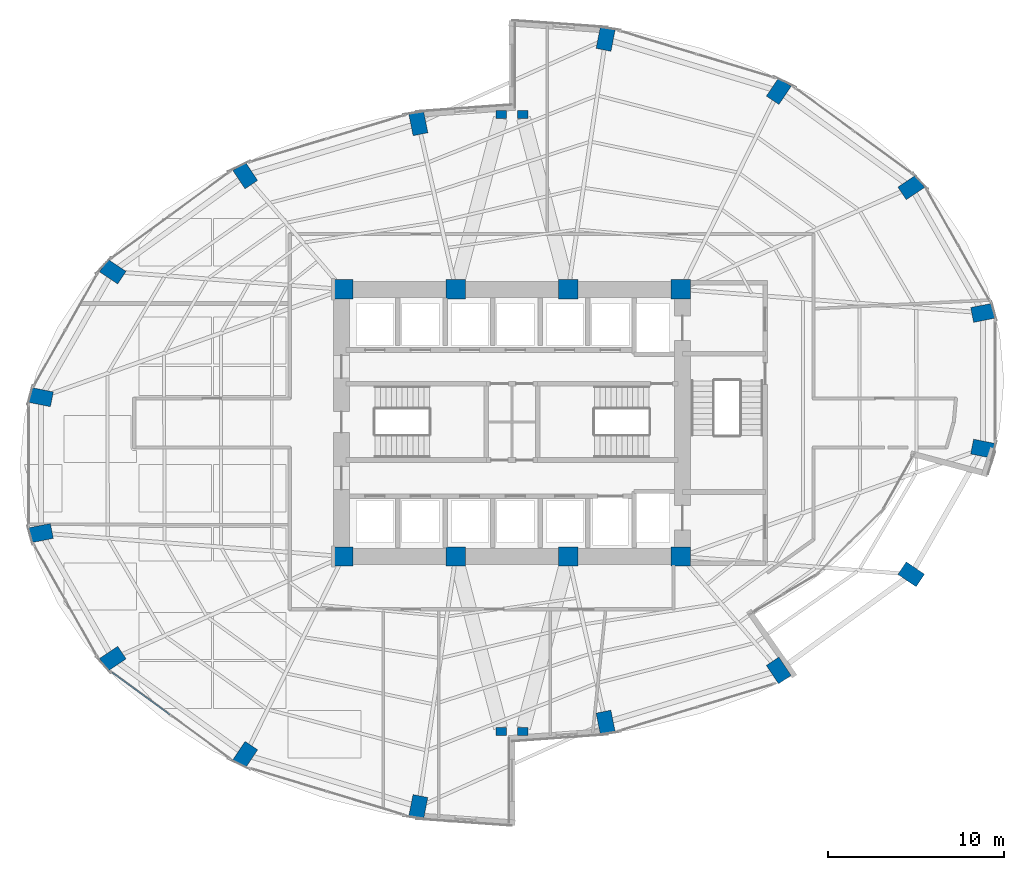
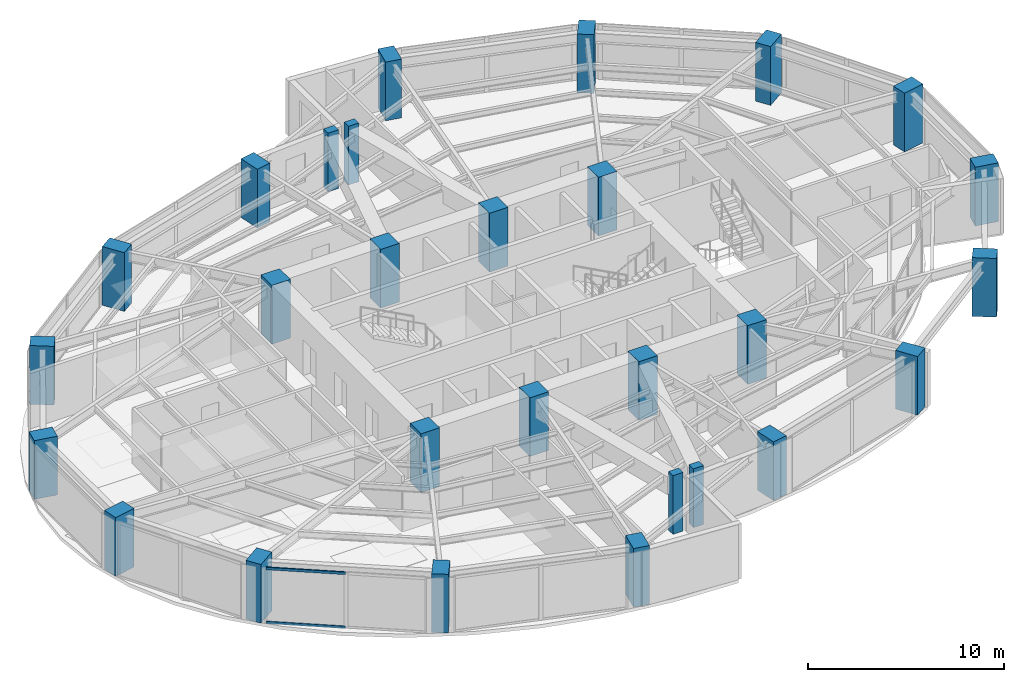
# One storey, part 1 of 24: 28 columns, 2 members, 1 element without a shape of its own.
"""IFC4 building model written with IfcOpenShell, lengths in metres."""

from ifc_helpers import new_model, si_unit, direction, frame, origin, origin_2d, place, context, subcontext, project, spatial, rectangle, hollow_rectangle, extrude, material, layer, layer_set, material_profile, profile_set, type_object, element, aggregate, save


model = new_model("IFC4")

# Units and contexts
model_context = context("Model", 3, precision=1e-05, world=origin(), true_north=direction((0.0, 1.0)))
body_context = subcontext(model_context, "Body", "Model", "MODEL_VIEW")
ifc_project = project(units=[si_unit("LENGTHUNIT", "METRE"), si_unit("AREAUNIT", "SQUARE_METRE"), si_unit("VOLUMEUNIT", "CUBIC_METRE"), si_unit("PLANEANGLEUNIT", "RADIAN"), si_unit("MASSUNIT", "GRAM", prefix="KILO")], contexts=[model_context])

# Site, building, storey
site_placement = place(None, origin())
site = spatial("IfcSite", under=ifc_project, at=site_placement, CompositionType="ELEMENT")
building_placement = place(site_placement, origin())
building = spatial("IfcBuilding", under=site, at=building_placement, Name="Lazwardi Medical Tower", CompositionType="ELEMENT")
storey_placement = place(building_placement, frame((0.0, 0.0, 65.327880859375)))
storey = spatial("IfcBuildingStorey", under=building, at=storey_placement, Name="L16", CompositionType="ELEMENT", Elevation=65.327880859375)

# Columns
ifc_material_1 = material(Name="Concrete C80/95", Category="concrete")
ifc_material_profile_1 = material_profile(ifc_material_1, rectangle(XDim=1.10009765625, YDim=1.10009765625, at=origin_2d()), Name="RC 1100x1100")
ifc_profile_set_1 = profile_set([ifc_material_profile_1], Name="Concrete C80/95")
column_type_1 = type_object("IfcColumnType", Name="COL-CC-L", PredefinedType="COLUMN", material=ifc_profile_set_1)
for number, where, z_axis, x_axis, name in (
    (1, (26.39990234375, 20.39990234375, 0.0), (0.0, 0.0, 1.0), (1.0, 0.0, 0.0), "Core column CC-01 CC1 L16"),
    (2, (32.800048828125, 20.39990234375, 0.0), (0.0, 0.0, 1.0), (1.0, 0.0, 0.0), "Core column CC-01 CC2 L16"),
    (3, (39.199951171875, 20.39990234375, 0.0), (0.0, 0.0, 1.0), (1.0, 0.0, 0.0), "Core column CC-01 CC3 L16"),
    (4, (45.60009765625, 20.39990234375, 0.0), (0.0, 0.0, 1.0), (1.0, 0.0, 0.0), "Core column CC-01 CC4 L16"),
    (5, (45.60009765625, 35.60009765625, 0.0), (0.0, 0.0, 1.0), (1.0, 0.0, 0.0), "Core column CC-01 CC5 L16"),
    (6, (39.199951171875, 35.60009765625, 0.0), (0.0, 0.0, 1.0), (1.0, 0.0, 0.0), "Core column CC-01 CC6 L16"),
    (7, (32.800048828125, 35.60009765625, 0.0), (0.0, 0.0, 1.0), (1.0, 0.0, 0.0), "Core column CC-01 CC7 L16"),
    (8, (26.39990234375, 35.60009765625, 0.0), (0.0, 0.0, 1.0), (1.0, 0.0, 0.0), "Core column CC-01 CC8 L16"),
):
    element("IfcColumn", number, at=place(storey_placement, frame(where, z_axis=z_axis, x_axis=x_axis)), inside=storey, type_object=column_type_1, Name=name, PredefinedType="COLUMN", context=body_context, shape_type="SweptSolid", body=[
        extrude(rectangle(XDim=1.10009765625, YDim=1.10009765625, at=origin_2d()), origin(), (0.0, 0.0, 1.0), 3.648193359375),
    ])
ifc_material_2 = material(Name="Concrete C70/85", Category="concrete")
ifc_material_profile_2 = material_profile(ifc_material_2, rectangle(XDim=1.25, YDim=0.860107421875, at=origin_2d()), Name="CFT-RECT 1250x860")
ifc_profile_set_2 = profile_set([ifc_material_profile_2], Name="Concrete C70/85")
column_type_2 = type_object("IfcColumnType", Name="COL-MC-Z1", PredefinedType="COLUMN", material=ifc_profile_set_2)
for number, where, z_axis, x_axis, name in (
    (9, (41.330810546875, 10.955810546875, 0.0), (0.0, 0.0, 1.0), (0.195090322016, -0.980785280403, 0.0), "Mega column MC-03 M01 L16"),
    (10, (51.180908203125, 13.916015625, 0.0), (0.0, 0.0, 1.0), (0.55557023302, -0.831469612303, 0.0), "Mega column MC-03 M02 L16"),
    (11, (58.719970703125, 19.3857421875, 0.0), (0.0, 0.0, 1.0), (0.831469612303, -0.55557023302, 0.0), "Mega column MC-03 M03 L16"),
    (12, (62.800048828125, 26.5322265625, 0.0), (0.0, 0.0, 1.0), (0.980785280403, -0.195090322016, 0.0), "Mega column MC-03 M04 L16"),
    (13, (62.800048828125, 34.267578125, 0.0), (0.0, 0.0, 1.0), (0.980785280403, 0.195090322016, 0.0), "Mega column MC-03 M05 L16"),
    (14, (58.719970703125, 41.414306640625, 0.0), (0.0, 0.0, 1.0), (0.831469612303, 0.55557023302, 0.0), "Mega column MC-03 M06 L16"),
    (15, (51.180908203125, 46.8837890625, 0.0), (0.0, 0.0, 1.0), (0.55557023302, 0.831469612303, 0.0), "Mega column MC-03 M07 L16"),
    (16, (41.330810546875, 49.843994140625, 0.0), (0.0, 0.0, 1.0), (0.195090322016, 0.980785280403, 0.0), "Mega column MC-03 M08 L16"),
    (17, (30.669189453125, 45.044189453125, 0.0), (0.0, 0.0, 1.0), (-0.195090322016, 0.980785280403, 0.0), "Mega column MC-03 M09 L16"),
    (18, (20.819091796875, 42.083984375, 0.0), (0.0, 0.0, 1.0), (-0.55557023302, 0.831469612303, 0.0), "Mega column MC-03 M10 L16"),
    (19, (13.280029296875, 36.6142578125, 0.0), (0.0, 0.0, 1.0), (-0.831469612303, 0.55557023302, 0.0), "Mega column MC-03 M11 L16"),
    (20, (9.199951171875, 29.4677734375, 0.0), (0.0, 0.0, 1.0), (-0.980785280403, 0.195090322016, 0.0), "Mega column MC-03 M12 L16"),
    (21, (9.199951171875, 21.732421875, 0.0), (0.0, 0.0, 1.0), (-0.980785280403, -0.195090322016, 0.0), "Mega column MC-03 M13 L16"),
    (22, (13.280029296875, 14.585693359375, 0.0), (0.0, 0.0, 1.0), (-0.831469612303, -0.55557023302, 0.0), "Mega column MC-03 M14 L16"),
    (23, (20.819091796875, 9.1162109375, 0.0), (0.0, 0.0, 1.0), (-0.55557023302, -0.831469612303, 0.0), "Mega column MC-03 M15 L16"),
    (24, (30.669189453125, 6.156005859375, 0.0), (0.0, 0.0, 1.0), (-0.195090322016, -0.980785280403, 0.0), "Mega column MC-03 M16 L16"),
):
    element("IfcColumn", number, at=place(storey_placement, frame(where, z_axis=z_axis, x_axis=x_axis)), inside=storey, type_object=column_type_2, Name=name, PredefinedType="COLUMN", context=body_context, shape_type="SweptSolid", body=[
        extrude(rectangle(XDim=1.25, YDim=0.860107421875, at=origin_2d()), origin(), (0.0, 0.0, 1.0), 3.648193359375),
    ])
ifc_material_3 = material(Name="Concrete C60/75", Category="concrete")
ifc_material_profile_3 = material_profile(ifc_material_3, rectangle(XDim=0.60009765625, YDim=0.449951171875, at=origin_2d()), Name="RC 600x450")
ifc_profile_set_3 = profile_set([ifc_material_profile_3], Name="Concrete C60/75")
column_type_3 = type_object("IfcColumnType", Name="COL-PL-IW", PredefinedType="PILASTER", material=ifc_profile_set_3)
for number, where, z_axis, x_axis, name in (
    (25, (35.39990234375, 45.550048828125, 0.0), (0.0, 0.0, 1.0), (1.0, 0.0, 0.0), "Iwan pilaster column PL-C1 PL1 L16"),
    (26, (36.60009765625, 45.550048828125, 0.0), (0.0, 0.0, 1.0), (1.0, 0.0, 0.0), "Iwan pilaster column PL-C1 PL2 L16"),
    (27, (35.39990234375, 10.449951171875, 0.0), (0.0, 0.0, 1.0), (1.0, 0.0, 0.0), "Iwan pilaster column PL-C1 PL3 L16"),
    (28, (36.60009765625, 10.449951171875, 0.0), (0.0, 0.0, 1.0), (1.0, 0.0, 0.0), "Iwan pilaster column PL-C1 PL4 L16"),
):
    element("IfcColumn", number, at=place(storey_placement, frame(where, z_axis=z_axis, x_axis=x_axis)), inside=storey, type_object=column_type_3, Name=name, PredefinedType="PILASTER", context=body_context, shape_type="SweptSolid", body=[
        extrude(rectangle(XDim=0.60009765625, YDim=0.449951171875, at=origin_2d()), origin(), (0.0, 0.0, 1.0), 3.648193359375),
    ])

# Curtain wall, members
ifc_material_4 = material(Name="Anodised bronze aluminium and solar control glazing", Category="aluminium")
ifc_layer = layer(ifc_material_4, 0.199951171875)
ifc_layer_set = layer_set([ifc_layer], Name="Anodised bronze aluminium and solar control glazing")
curtain_wall_type = type_object("IfcCurtainWallType", Name="CW-SYS-02", PredefinedType="NOTDEFINED", material=ifc_layer_set)
curtain_wall_placement = place(storey_placement, origin())
curtain_wall = element("IfcCurtainWall", 29, at=curtain_wall_placement, inside=storey, type_object=curtain_wall_type, Name="L16 Unitised bronze curtain wall CW-02", PredefinedType="NOTDEFINED")
ifc_material_5 = material(Name="Anodised bronze aluminium", Category="aluminium")
ifc_material_profile_4 = material_profile(ifc_material_5, hollow_rectangle(XDim=0.074951171875, YDim=0.159912109375, WallThickness=0.00390625, at=origin_2d()), Name="ALU-TRANSOM 160x75x4")
ifc_profile_set_4 = profile_set([ifc_material_profile_4], Name="Anodised bronze aluminium")
member_type = type_object("IfcMemberType", Name="CW-TRN-01", PredefinedType="USERDEFINED", material=ifc_profile_set_4)
member_1_placement = place(storey_placement, frame((13.239990234375, 13.805419921875, 0.03759765625), z_axis=(0.807189956199, -0.590291770748, 0.0), x_axis=(0.590291770748, 0.807189956199, 0.0)))
member_1 = element("IfcMember", 30, at=member_1_placement, type_object=member_type, Name="CW-02 transom 1.1", ObjectType="TRANSOM", PredefinedType="USERDEFINED", context=body_context, shape_type="SweptSolid", body=[
    extrude(hollow_rectangle(XDim=0.074951171875, YDim=0.159912109375, WallThickness=0.00390625, at=origin_2d()), origin(), (0.0, 0.0, 1.0), 4.070068359375),
])
member_2_placement = place(storey_placement, frame((13.239990234375, 13.805419921875, 3.390625), z_axis=(0.807189956199, -0.590291770748, 0.0), x_axis=(0.590291770748, 0.807189956199, 0.0)))
member_2 = element("IfcMember", 31, at=member_2_placement, type_object=member_type, Name="CW-02 transom 1.2", ObjectType="TRANSOM", PredefinedType="USERDEFINED", context=body_context, shape_type="SweptSolid", body=[
    extrude(hollow_rectangle(XDim=0.074951171875, YDim=0.159912109375, WallThickness=0.00390625, at=origin_2d()), origin(), (0.0, 0.0, 1.0), 4.070068359375),
])
aggregate(curtain_wall, [member_1, member_2])

save(model, "model.ifc")
